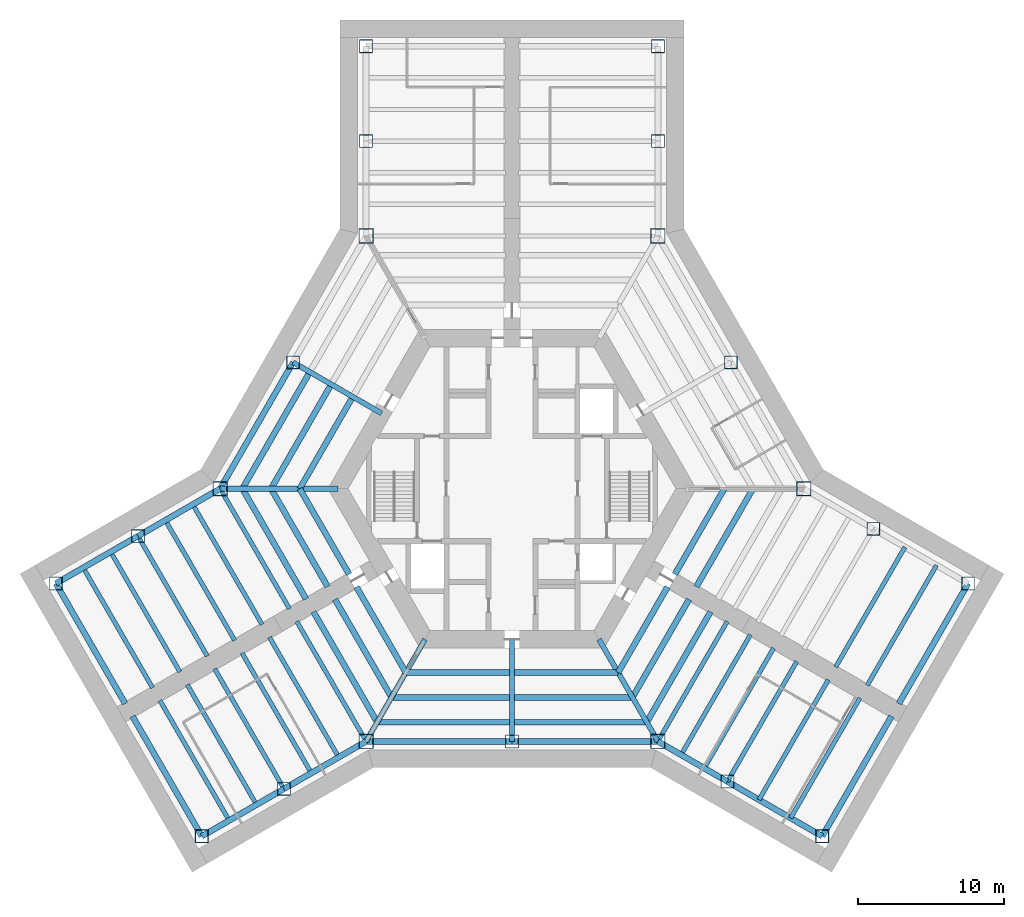
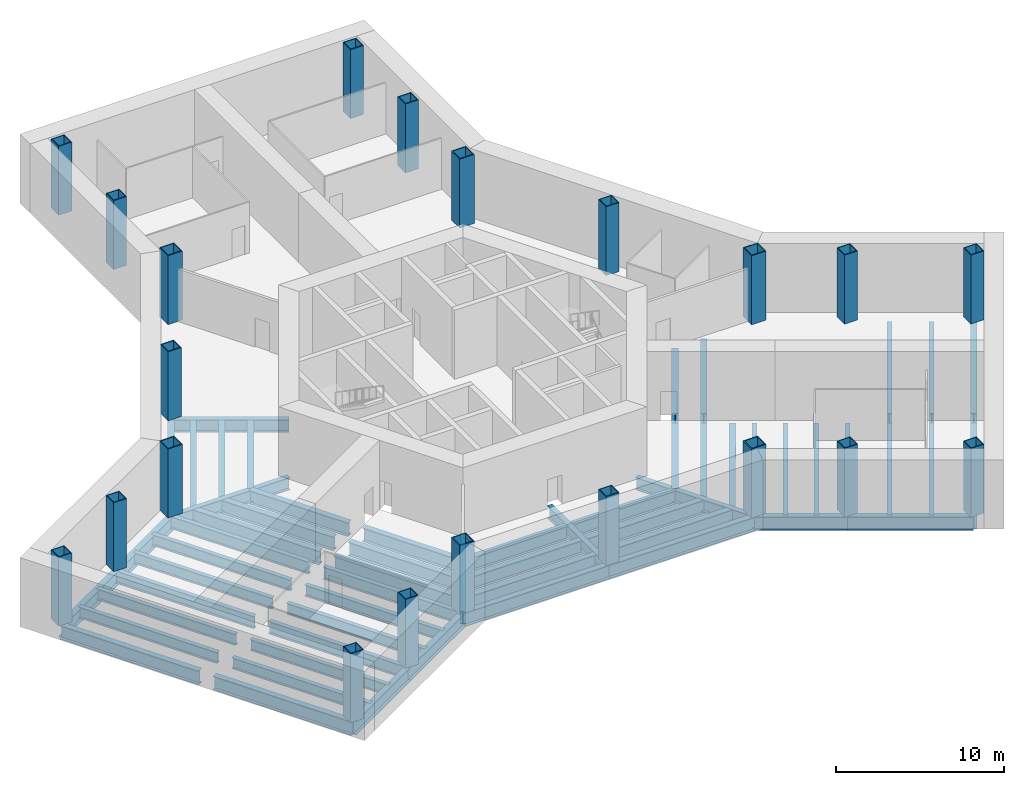
# One storey, part 1 of 7: 58 beams, 21 columns.
"""IFC4 building model written with IfcOpenShell, lengths in metres."""

from ifc_helpers import new_model, si_unit, direction, frame, origin, origin_2d, place, context, subcontext, project, spatial, hollow_rectangle, i_section, extrude, material, material_profile, profile_set, type_object, element, save


model = new_model("IFC4")

# Units and contexts
model_context = context("Model", 3, precision=1e-05, world=origin(), true_north=direction((0.0, 1.0)))
body_context = subcontext(model_context, "Body", "Model", "MODEL_VIEW")
ifc_project = project(units=[si_unit("LENGTHUNIT", "METRE"), si_unit("AREAUNIT", "SQUARE_METRE"), si_unit("VOLUMEUNIT", "CUBIC_METRE"), si_unit("PLANEANGLEUNIT", "RADIAN"), si_unit("MASSUNIT", "GRAM", prefix="KILO")], contexts=[model_context])

# Site, building, storey
site_placement = place(None, origin())
site = spatial("IfcSite", under=ifc_project, at=site_placement, CompositionType="ELEMENT")
building_placement = place(site_placement, origin())
building = spatial("IfcBuilding", under=site, at=building_placement, Name="Kasaneha Research Tower", CompositionType="ELEMENT")
storey_placement = place(building_placement, frame((0.0, 0.0, -5.0)))
storey = spatial("IfcBuildingStorey", under=building, at=storey_placement, Name="B1", CompositionType="ELEMENT", Elevation=-5.0)

# Columns
ifc_material_1 = material(Name="Steel SN490C", Category="steel")
ifc_material_profile_1 = material_profile(ifc_material_1, hollow_rectangle(XDim=1.0, YDim=1.0, WallThickness=0.06005859375, at=origin_2d()), Name="BOX-1000x1000x60")
ifc_profile_set_1 = profile_set([ifc_material_profile_1], Name="Steel SN490C")
column_type_1 = type_object("IfcColumnType", Name="C1A column BOX-1000x1000x60", PredefinedType="COLUMN", material=ifc_profile_set_1)
for number, where, z_axis, x_axis, name in (
    (1, (20.0, 0.0, 0.0), (0.0, 0.0, 1.0), (1.0, 0.0, 0.0), "Column V0 B1"),
    (2, (10.0, 17.320556640625, 0.0), (0.0, 0.0, 1.0), (1.0, 0.0, 0.0), "Column V1 B1"),
    (3, (-10.0, 17.320556640625, 0.0), (0.0, 0.0, 1.0), (1.0, 0.0, 0.0), "Column V2 B1"),
    (4, (-20.0, 0.0, 0.0), (0.0, 0.0, 1.0), (1.0, 0.0, 0.0), "Column V3 B1"),
    (5, (-10.0, -17.320556640625, 0.0), (0.0, 0.0, 1.0), (1.0, 0.0, 0.0), "Column V4 B1"),
    (6, (10.0, -17.320556640625, 0.0), (0.0, 0.0, 1.0), (1.0, 0.0, 0.0), "Column V5 B1"),
):
    element("IfcColumn", number, at=place(storey_placement, frame(where, z_axis=z_axis, x_axis=x_axis)), inside=storey, type_object=column_type_1, Name=name, PredefinedType="COLUMN", context=body_context, shape_type="SweptSolid", body=[
        extrude(hollow_rectangle(XDim=1.0, YDim=1.0, WallThickness=0.06005859375, at=origin_2d()), origin(), (0.0, 0.0, 1.0), 5.0),
    ])
ifc_material_2 = material(Name="Steel SN490C", Category="steel")
ifc_material_profile_2 = material_profile(ifc_material_2, hollow_rectangle(XDim=0.89990234375, YDim=0.89990234375, WallThickness=0.050048828125, at=origin_2d()), Name="BOX-900x900x50")
ifc_profile_set_2 = profile_set([ifc_material_profile_2], Name="Steel SN490C")
column_type_2 = type_object("IfcColumnType", Name="C1B column BOX-900x900x50", PredefinedType="COLUMN", material=ifc_profile_set_2)
for number, where, z_axis, x_axis, name in (
    (7, (15.0, 8.66015625, 0.0), (0.0, 0.0, 1.0), (1.0, 0.0, 0.0), "Column M030 B1"),
    (8, (-15.0, 8.66015625, 0.0), (0.0, 0.0, 1.0), (1.0, 0.0, 0.0), "Column M150 B1"),
    (9, (0.0, -17.320556640625, 0.0), (0.0, 0.0, 1.0), (1.0, 0.0, 0.0), "Column M270 B1"),
    (10, (10.0, 23.820556640625, 0.0), (0.0, 0.0, 1.0), (1.0, 0.0, 0.0), "Column ASP B1"),
    (11, (10.0, 30.320556640625, 0.0), (0.0, 0.0, 1.0), (1.0, 0.0, 0.0), "Column ATP B1"),
    (12, (-10.0, 23.820556640625, 0.0), (0.0, 0.0, 1.0), (1.0, 0.0, 0.0), "Column ASN B1"),
    (13, (-10.0, 30.320556640625, 0.0), (0.0, 0.0, 1.0), (1.0, 0.0, 0.0), "Column ATN B1"),
    (14, (-25.629150390625, -3.25, 0.0), (0.0, 0.0, 1.0), (1.0, 0.0, 0.0), "Column BSP B1"),
    (15, (-31.25830078125, -6.5, 0.0), (0.0, 0.0, 1.0), (1.0, 0.0, 0.0), "Column BTP B1"),
    (16, (-15.629150390625, -20.570556640625, 0.0), (0.0, 0.0, 1.0), (1.0, 0.0, 0.0), "Column BSN B1"),
    (17, (-21.25830078125, -23.820556640625, 0.0), (0.0, 0.0, 1.0), (1.0, 0.0, 0.0), "Column BTN B1"),
    (18, (14.76318359375, -20.070556640625, 0.0), (0.0, 0.0, 1.0), (1.0, 0.0, 0.0), "Column CSP B1"),
    (19, (21.25830078125, -23.820556640625, 0.0), (0.0, 0.0, 1.0), (1.0, 0.0, 0.0), "Column CTP B1"),
    (20, (24.76318359375, -2.75, 0.0), (0.0, 0.0, 1.0), (1.0, 0.0, 0.0), "Column CSN B1"),
    (21, (31.25830078125, -6.5, 0.0), (0.0, 0.0, 1.0), (1.0, 0.0, 0.0), "Column CTN B1"),
):
    element("IfcColumn", number, at=place(storey_placement, frame(where, z_axis=z_axis, x_axis=x_axis)), inside=storey, type_object=column_type_2, Name=name, PredefinedType="COLUMN", context=body_context, shape_type="SweptSolid", body=[
        extrude(hollow_rectangle(XDim=0.89990234375, YDim=0.89990234375, WallThickness=0.050048828125, at=origin_2d()), origin(), (0.0, 0.0, 1.0), 5.0),
    ])

# Beams
ifc_material_3 = material(Name="Steel SN490B", Category="steel")
ifc_material_profile_3 = material_profile(ifc_material_3, i_section(OverallWidth=0.39990234375, OverallDepth=1.0, WebThickness=0.01904296875, FlangeThickness=0.035888671875, at=origin_2d()), Name="BH-1000x400x19x36")
ifc_profile_set_3 = profile_set([ifc_material_profile_3], Name="Steel SN490B")
beam_type_1 = type_object("IfcBeamType", Name="B1-0 secondary beam BH-1000x400x19x36", PredefinedType="JOIST", material=ifc_profile_set_3)
beam_1_placement = place(storey_placement, frame((-14.54931640625, 0.0, -0.75), z_axis=(0.500000279077, 0.866025242659, 0.0), x_axis=(-0.866025242659, 0.500000279077, 0.0)))
element("IfcBeam", 22, at=beam_1_placement, inside=storey, type_object=beam_type_1, Name="Secondary beam RS150R1 B1", PredefinedType="JOIST", context=body_context, shape_type="SweptSolid", body=[
    extrude(i_section(OverallWidth=0.39990234375, OverallDepth=1.0, WebThickness=0.01904296875, FlangeThickness=0.035888671875, at=origin_2d()), origin(), (0.0, 0.0, 1.0), 7.099609375),
])
beam_2_placement = place(storey_placement, frame((-16.51220703125, 0.0, -0.75), z_axis=(0.499992685514, 0.866029626764, 0.0), x_axis=(-0.866029626764, 0.499992685514, 0.0)))
element("IfcBeam", 23, at=beam_2_placement, inside=storey, type_object=beam_type_1, Name="Secondary beam RS150R2 B1", PredefinedType="JOIST", context=body_context, shape_type="SweptSolid", body=[
    extrude(i_section(OverallWidth=0.39990234375, OverallDepth=1.0, WebThickness=0.01904296875, FlangeThickness=0.035888671875, at=origin_2d()), origin(), (0.0, 0.0, 1.0), 8.0810546875),
])
beam_3_placement = place(storey_placement, frame((-18.47509765625, 0.0, -0.75), z_axis=(0.499998401736, 0.866026326541, 0.0), x_axis=(-0.866026326541, 0.499998401736, 0.0)))
element("IfcBeam", 24, at=beam_3_placement, inside=storey, type_object=beam_type_1, Name="Secondary beam RS150R3 B1", PredefinedType="JOIST", context=body_context, shape_type="SweptSolid", body=[
    extrude(i_section(OverallWidth=0.39990234375, OverallDepth=1.0, WebThickness=0.01904296875, FlangeThickness=0.035888671875, at=origin_2d()), origin(), (0.0, 0.0, 1.0), 9.0625),
])
beam_4_placement = place(storey_placement, frame((-14.54931640625, 0.0, -0.75), z_axis=(0.500018802781, -0.866014547721, 0.0), x_axis=(0.866014547721, 0.500018802781, 0.0)))
element("IfcBeam", 25, at=beam_4_placement, inside=storey, type_object=beam_type_1, Name="Secondary beam RS210L1 B1", PredefinedType="JOIST", context=body_context, shape_type="SweptSolid", body=[
    extrude(i_section(OverallWidth=0.39990234375, OverallDepth=1.0, WebThickness=0.01904296875, FlangeThickness=0.035888671875, at=origin_2d()), origin(), (0.0, 0.0, 1.0), 6.774658203125),
])
beam_5_placement = place(storey_placement, frame((-16.51220703125, 0.0, -0.75), z_axis=(0.499984939085, -0.866034099033, 0.0), x_axis=(0.866034099033, 0.499984939085, 0.0)))
element("IfcBeam", 26, at=beam_5_placement, inside=storey, type_object=beam_type_1, Name="Secondary beam RS210L2 B1", PredefinedType="JOIST", context=body_context, shape_type="SweptSolid", body=[
    extrude(i_section(OverallWidth=0.39990234375, OverallDepth=1.0, WebThickness=0.01904296875, FlangeThickness=0.035888671875, at=origin_2d()), origin(), (0.0, 0.0, 1.0), 7.756103515625),
])
beam_6_placement = place(storey_placement, frame((-18.47509765625, 0.0, -0.75), z_axis=(0.499991738058, -0.866030173766, 0.0), x_axis=(0.866030173766, 0.499991738058, 0.0)))
element("IfcBeam", 27, at=beam_6_placement, inside=storey, type_object=beam_type_1, Name="Secondary beam RS210L3 B1", PredefinedType="JOIST", context=body_context, shape_type="SweptSolid", body=[
    extrude(i_section(OverallWidth=0.39990234375, OverallDepth=1.0, WebThickness=0.01904296875, FlangeThickness=0.035888671875, at=origin_2d()), origin(), (0.0, 0.0, 1.0), 8.737548828125),
])
beam_7_placement = place(storey_placement, frame((-7.274658203125, -12.60009765625, -0.75), z_axis=(-0.499976170333, 0.866039161412, 0.0), x_axis=(-0.866039161412, -0.499976170333, 0.0)))
element("IfcBeam", 28, at=beam_7_placement, inside=storey, type_object=beam_type_1, Name="Secondary beam RS210R1 B1", PredefinedType="JOIST", context=body_context, shape_type="SweptSolid", body=[
    extrude(i_section(OverallWidth=0.39990234375, OverallDepth=1.0, WebThickness=0.01904296875, FlangeThickness=0.035888671875, at=origin_2d()), origin(), (0.0, 0.0, 1.0), 6.774658203125),
])
beam_8_placement = place(storey_placement, frame((-8.256103515625, -14.300048828125, -0.75), z_axis=(-0.500008546953, 0.866020469142, 0.0), x_axis=(-0.866020469142, -0.500008546953, 0.0)))
element("IfcBeam", 29, at=beam_8_placement, inside=storey, type_object=beam_type_1, Name="Secondary beam RS210R2 B1", PredefinedType="JOIST", context=body_context, shape_type="SweptSolid", body=[
    extrude(i_section(OverallWidth=0.39990234375, OverallDepth=1.0, WebThickness=0.01904296875, FlangeThickness=0.035888671875, at=origin_2d()), origin(), (0.0, 0.0, 1.0), 7.756103515625),
])
beam_9_placement = place(storey_placement, frame((-9.237548828125, -16.0, -0.75), z_axis=(-0.500012694249, 0.866018074632, 0.0), x_axis=(-0.866018074632, -0.500012694249, 0.0)))
element("IfcBeam", 30, at=beam_9_placement, inside=storey, type_object=beam_type_1, Name="Secondary beam RS210R3 B1", PredefinedType="JOIST", context=body_context, shape_type="SweptSolid", body=[
    extrude(i_section(OverallWidth=0.39990234375, OverallDepth=1.0, WebThickness=0.01904296875, FlangeThickness=0.035888671875, at=origin_2d()), origin(), (0.0, 0.0, 1.0), 8.737548828125),
])
beam_10_placement = place(storey_placement, frame((-7.274658203125, -12.60009765625, -0.75), z_axis=(1.0, 0.0, 0.0), x_axis=(0.0, 1.0, 0.0)))
element("IfcBeam", 31, at=beam_10_placement, inside=storey, type_object=beam_type_1, Name="Secondary beam RS270L1 B1", PredefinedType="JOIST", context=body_context, shape_type="SweptSolid", body=[
    extrude(i_section(OverallWidth=0.39990234375, OverallDepth=1.0, WebThickness=0.01904296875, FlangeThickness=0.035888671875, at=origin_2d()), origin(), (0.0, 0.0, 1.0), 7.099609375),
])
beam_11_placement = place(storey_placement, frame((-8.256103515625, -14.300048828125, -0.75), z_axis=(1.0, 0.0, 0.0), x_axis=(0.0, 1.0, 0.0)))
element("IfcBeam", 32, at=beam_11_placement, inside=storey, type_object=beam_type_1, Name="Secondary beam RS270L2 B1", PredefinedType="JOIST", context=body_context, shape_type="SweptSolid", body=[
    extrude(i_section(OverallWidth=0.39990234375, OverallDepth=1.0, WebThickness=0.01904296875, FlangeThickness=0.035888671875, at=origin_2d()), origin(), (0.0, 0.0, 1.0), 8.0810546875),
])
beam_12_placement = place(storey_placement, frame((-9.237548828125, -16.0, -0.75), z_axis=(1.0, 0.0, 0.0), x_axis=(0.0, 1.0, 0.0)))
element("IfcBeam", 33, at=beam_12_placement, inside=storey, type_object=beam_type_1, Name="Secondary beam RS270L3 B1", PredefinedType="JOIST", context=body_context, shape_type="SweptSolid", body=[
    extrude(i_section(OverallWidth=0.39990234375, OverallDepth=1.0, WebThickness=0.01904296875, FlangeThickness=0.035888671875, at=origin_2d()), origin(), (0.0, 0.0, 1.0), 9.0625),
])
beam_13_placement = place(storey_placement, frame((7.274658203125, -12.60009765625, -0.75), z_axis=(-1.0, 0.0, 0.0), x_axis=(0.0, -1.0, 0.0)))
element("IfcBeam", 34, at=beam_13_placement, inside=storey, type_object=beam_type_1, Name="Secondary beam RS270R1 B1", PredefinedType="JOIST", context=body_context, shape_type="SweptSolid", body=[
    extrude(i_section(OverallWidth=0.39990234375, OverallDepth=1.0, WebThickness=0.01904296875, FlangeThickness=0.035888671875, at=origin_2d()), origin(), (0.0, 0.0, 1.0), 7.099609375),
])
beam_14_placement = place(storey_placement, frame((8.256103515625, -14.300048828125, -0.75), z_axis=(-1.0, 0.0, 0.0), x_axis=(0.0, -1.0, 0.0)))
element("IfcBeam", 35, at=beam_14_placement, inside=storey, type_object=beam_type_1, Name="Secondary beam RS270R2 B1", PredefinedType="JOIST", context=body_context, shape_type="SweptSolid", body=[
    extrude(i_section(OverallWidth=0.39990234375, OverallDepth=1.0, WebThickness=0.01904296875, FlangeThickness=0.035888671875, at=origin_2d()), origin(), (0.0, 0.0, 1.0), 8.0810546875),
])
beam_15_placement = place(storey_placement, frame((9.237548828125, -16.0, -0.75), z_axis=(-1.0, 0.0, 0.0), x_axis=(0.0, -1.0, 0.0)))
element("IfcBeam", 36, at=beam_15_placement, inside=storey, type_object=beam_type_1, Name="Secondary beam RS270R3 B1", PredefinedType="JOIST", context=body_context, shape_type="SweptSolid", body=[
    extrude(i_section(OverallWidth=0.39990234375, OverallDepth=1.0, WebThickness=0.01904296875, FlangeThickness=0.035888671875, at=origin_2d()), origin(), (0.0, 0.0, 1.0), 9.0625),
])
beam_16_placement = place(storey_placement, frame((7.274658203125, -12.60009765625, -0.75), z_axis=(0.499976170333, 0.866039161412, 0.0), x_axis=(-0.866039161412, 0.499976170333, 0.0)))
element("IfcBeam", 37, at=beam_16_placement, inside=storey, type_object=beam_type_1, Name="Secondary beam RS330L1 B1", PredefinedType="JOIST", context=body_context, shape_type="SweptSolid", body=[
    extrude(i_section(OverallWidth=0.39990234375, OverallDepth=1.0, WebThickness=0.01904296875, FlangeThickness=0.035888671875, at=origin_2d()), origin(), (0.0, 0.0, 1.0), 6.774658203125),
])
beam_17_placement = place(storey_placement, frame((8.256103515625, -14.300048828125, -0.75), z_axis=(0.500008546953, 0.866020469142, 0.0), x_axis=(-0.866020469142, 0.500008546953, 0.0)))
element("IfcBeam", 38, at=beam_17_placement, inside=storey, type_object=beam_type_1, Name="Secondary beam RS330L2 B1", PredefinedType="JOIST", context=body_context, shape_type="SweptSolid", body=[
    extrude(i_section(OverallWidth=0.39990234375, OverallDepth=1.0, WebThickness=0.01904296875, FlangeThickness=0.035888671875, at=origin_2d()), origin(), (0.0, 0.0, 1.0), 7.756103515625),
])
beam_18_placement = place(storey_placement, frame((9.237548828125, -16.0, -0.75), z_axis=(0.500012694249, 0.866018074632, 0.0), x_axis=(-0.866018074632, 0.500012694249, 0.0)))
element("IfcBeam", 39, at=beam_18_placement, inside=storey, type_object=beam_type_1, Name="Secondary beam RS330L3 B1", PredefinedType="JOIST", context=body_context, shape_type="SweptSolid", body=[
    extrude(i_section(OverallWidth=0.39990234375, OverallDepth=1.0, WebThickness=0.01904296875, FlangeThickness=0.035888671875, at=origin_2d()), origin(), (0.0, 0.0, 1.0), 8.737548828125),
])
beam_19_placement = place(storey_placement, frame((14.54931640625, 0.0, -0.75), z_axis=(-0.500018802781, -0.866014547721, 0.0), x_axis=(0.866014547721, -0.500018802781, 0.0)))
element("IfcBeam", 40, at=beam_19_placement, inside=storey, type_object=beam_type_1, Name="Secondary beam RS330R1 B1", PredefinedType="JOIST", context=body_context, shape_type="SweptSolid", body=[
    extrude(i_section(OverallWidth=0.39990234375, OverallDepth=1.0, WebThickness=0.01904296875, FlangeThickness=0.035888671875, at=origin_2d()), origin(), (0.0, 0.0, 1.0), 6.774658203125),
])
beam_20_placement = place(storey_placement, frame((16.51220703125, 0.0, -0.75), z_axis=(-0.499984939085, -0.866034099033, 0.0), x_axis=(0.866034099033, -0.499984939085, 0.0)))
element("IfcBeam", 41, at=beam_20_placement, inside=storey, type_object=beam_type_1, Name="Secondary beam RS330R2 B1", PredefinedType="JOIST", context=body_context, shape_type="SweptSolid", body=[
    extrude(i_section(OverallWidth=0.39990234375, OverallDepth=1.0, WebThickness=0.01904296875, FlangeThickness=0.035888671875, at=origin_2d()), origin(), (0.0, 0.0, 1.0), 7.756103515625),
])
ifc_material_4 = material(Name="Steel SN490B", Category="steel")
ifc_material_profile_4 = material_profile(ifc_material_4, i_section(OverallWidth=0.300048828125, OverallDepth=0.800048828125, WebThickness=0.013916015625, FlangeThickness=0.02587890625, FilletRadius=0.01806640625, at=origin_2d()), Name="H-800x300x14x26")
ifc_profile_set_4 = profile_set([ifc_material_profile_4], Name="Steel SN490B")
beam_type_2 = type_object("IfcBeamType", Name="B2-0 secondary beam H-800x300x14x26", PredefinedType="JOIST", material=ifc_profile_set_4)
beam_21_placement = place(storey_placement, frame((-21.87646484375, -1.083251953125, -0.64990234375), z_axis=(0.499997557548, -0.86602681393, 0.0), x_axis=(0.86602681393, 0.499997557548, 0.0)))
element("IfcBeam", 42, at=beam_21_placement, inside=storey, type_object=beam_type_2, Name="Secondary beam WBBP1 B1", PredefinedType="JOIST", context=body_context, shape_type="SweptSolid", body=[
    extrude(i_section(OverallWidth=0.300048828125, OverallDepth=0.800048828125, WebThickness=0.013916015625, FlangeThickness=0.02587890625, FilletRadius=0.01806640625, at=origin_2d()), origin(), (0.0, 0.0, 1.0), 9.5),
])
beam_22_placement = place(storey_placement, frame((-23.752685546875, -2.166748046875, -0.64990234375), z_axis=(0.500008685663, -0.866020389056, 0.0), x_axis=(0.866020389056, 0.500008685663, 0.0)))
element("IfcBeam", 43, at=beam_22_placement, inside=storey, type_object=beam_type_2, Name="Secondary beam WBBP2 B1", PredefinedType="JOIST", context=body_context, shape_type="SweptSolid", body=[
    extrude(i_section(OverallWidth=0.300048828125, OverallDepth=0.800048828125, WebThickness=0.013916015625, FlangeThickness=0.02587890625, FilletRadius=0.01806640625, at=origin_2d()), origin(), (0.0, 0.0, 1.0), 9.499755859375),
])
beam_23_placement = place(storey_placement, frame((-27.505615234375, -4.333251953125, -0.64990234375), z_axis=(0.499997557548, -0.86602681393, 0.0), x_axis=(0.86602681393, 0.499997557548, 0.0)))
element("IfcBeam", 44, at=beam_23_placement, inside=storey, type_object=beam_type_2, Name="Secondary beam WBBP3 B1", PredefinedType="JOIST", context=body_context, shape_type="SweptSolid", body=[
    extrude(i_section(OverallWidth=0.300048828125, OverallDepth=0.800048828125, WebThickness=0.013916015625, FlangeThickness=0.02587890625, FilletRadius=0.01806640625, at=origin_2d()), origin(), (0.0, 0.0, 1.0), 9.5),
])
beam_24_placement = place(storey_placement, frame((-29.3818359375, -5.416748046875, -0.64990234375), z_axis=(0.500008685663, -0.866020389056, 0.0), x_axis=(0.866020389056, 0.500008685663, 0.0)))
element("IfcBeam", 45, at=beam_24_placement, inside=storey, type_object=beam_type_2, Name="Secondary beam WBBP4 B1", PredefinedType="JOIST", context=body_context, shape_type="SweptSolid", body=[
    extrude(i_section(OverallWidth=0.300048828125, OverallDepth=0.800048828125, WebThickness=0.013916015625, FlangeThickness=0.02587890625, FilletRadius=0.01806640625, at=origin_2d()), origin(), (0.0, 0.0, 1.0), 9.499755859375),
])
beam_25_placement = place(storey_placement, frame((-11.87646484375, -18.40380859375, -0.64990234375), z_axis=(-0.499997557548, 0.86602681393, 0.0), x_axis=(-0.86602681393, -0.499997557548, 0.0)))
element("IfcBeam", 46, at=beam_25_placement, inside=storey, type_object=beam_type_2, Name="Secondary beam WBBN1 B1", PredefinedType="JOIST", context=body_context, shape_type="SweptSolid", body=[
    extrude(i_section(OverallWidth=0.300048828125, OverallDepth=0.800048828125, WebThickness=0.013916015625, FlangeThickness=0.02587890625, FilletRadius=0.01806640625, at=origin_2d()), origin(), (0.0, 0.0, 1.0), 9.5),
])
beam_26_placement = place(storey_placement, frame((-13.752685546875, -19.487060546875, -0.64990234375), z_axis=(-0.500008685663, 0.866020389056, 0.0), x_axis=(-0.866020389056, -0.500008685663, 0.0)))
element("IfcBeam", 47, at=beam_26_placement, inside=storey, type_object=beam_type_2, Name="Secondary beam WBBN2 B1", PredefinedType="JOIST", context=body_context, shape_type="SweptSolid", body=[
    extrude(i_section(OverallWidth=0.300048828125, OverallDepth=0.800048828125, WebThickness=0.013916015625, FlangeThickness=0.02587890625, FilletRadius=0.01806640625, at=origin_2d()), origin(), (0.0, 0.0, 1.0), 9.499755859375),
])
beam_27_placement = place(storey_placement, frame((-17.505615234375, -21.65380859375, -0.64990234375), z_axis=(-0.499997557548, 0.86602681393, 0.0), x_axis=(-0.86602681393, -0.499997557548, 0.0)))
element("IfcBeam", 48, at=beam_27_placement, inside=storey, type_object=beam_type_2, Name="Secondary beam WBBN3 B1", PredefinedType="JOIST", context=body_context, shape_type="SweptSolid", body=[
    extrude(i_section(OverallWidth=0.300048828125, OverallDepth=0.800048828125, WebThickness=0.013916015625, FlangeThickness=0.02587890625, FilletRadius=0.01806640625, at=origin_2d()), origin(), (0.0, 0.0, 1.0), 9.5),
])
for number, where, z_axis, x_axis, name in (
    (49, (-19.3818359375, -22.737060546875, -0.64990234375), (-0.500008685663, 0.866020389056, 0.0), (-0.866020389056, -0.500008685663, 0.0), "Secondary beam WBBN4 B1"),
    (50, (11.587646484375, -18.237060546875, -0.64990234375), (0.500008685663, 0.866020389056, 0.0), (-0.866020389056, 0.500008685663, 0.0), "Secondary beam WBCP1 B1"),
):
    element("IfcBeam", number, at=place(storey_placement, frame(where, z_axis=z_axis, x_axis=x_axis)), inside=storey, type_object=beam_type_2, Name=name, PredefinedType="JOIST", context=body_context, shape_type="SweptSolid", body=[
        extrude(i_section(OverallWidth=0.300048828125, OverallDepth=0.800048828125, WebThickness=0.013916015625, FlangeThickness=0.02587890625, FilletRadius=0.01806640625, at=origin_2d()), origin(), (0.0, 0.0, 1.0), 9.499755859375),
    ])
for number, where, z_axis, x_axis, name in (
    (51, (13.175537109375, -19.15380859375, -0.64990234375), (0.499997557548, 0.86602681393, 0.0), (-0.86602681393, 0.499997557548, 0.0), "Secondary beam WBCP2 B1"),
    (52, (16.92822265625, -21.320556640625, -0.64990234375), (0.499997557548, 0.86602681393, 0.0), (-0.86602681393, 0.499997557548, 0.0), "Secondary beam WBCP3 B1"),
    (53, (19.09326171875, -22.570556640625, -0.64990234375), (0.499997557548, 0.86602681393, 0.0), (-0.86602681393, 0.499997557548, 0.0), "Secondary beam WBCP4 B1"),
    (54, (26.92822265625, -4.0, -0.64990234375), (-0.499997557548, -0.86602681393, 0.0), (0.86602681393, -0.499997557548, 0.0), "Secondary beam WBCN3 B1"),
    (55, (29.09326171875, -5.25, -0.64990234375), (-0.499997557548, -0.86602681393, 0.0), (0.86602681393, -0.499997557548, 0.0), "Secondary beam WBCN4 B1"),
):
    element("IfcBeam", number, at=place(storey_placement, frame(where, z_axis=z_axis, x_axis=x_axis)), inside=storey, type_object=beam_type_2, Name=name, PredefinedType="JOIST", context=body_context, shape_type="SweptSolid", body=[
        extrude(i_section(OverallWidth=0.300048828125, OverallDepth=0.800048828125, WebThickness=0.013916015625, FlangeThickness=0.02587890625, FilletRadius=0.01806640625, at=origin_2d()), origin(), (0.0, 0.0, 1.0), 9.5),
    ])
ifc_material_5 = material(Name="Steel SN490B", Category="steel")
ifc_material_profile_5 = material_profile(ifc_material_5, i_section(OverallWidth=0.35009765625, OverallDepth=0.89990234375, WebThickness=0.01611328125, FlangeThickness=0.031982421875, at=origin_2d()), Name="BH-900x350x16x32")
ifc_profile_set_5 = profile_set([ifc_material_profile_5], Name="Steel SN490B")
beam_type_3 = type_object("IfcBeamType", Name="G1-0 radial girder BH-900x350x16x32", PredefinedType="BEAM", material=ifc_profile_set_5)
beam_28_placement = place(storey_placement, frame((-11.92236328125, 0.0, -0.699951171875), z_axis=(-1.0, 0.0, 0.0), x_axis=(0.0, -1.0, 0.0)))
element("IfcBeam", 56, at=beam_28_placement, inside=storey, type_object=beam_type_3, Name="Radial girder RV180 B1", PredefinedType="BEAM", context=body_context, shape_type="SweptSolid", body=[
    extrude(i_section(OverallWidth=0.35009765625, OverallDepth=0.89990234375, WebThickness=0.01611328125, FlangeThickness=0.031982421875, at=origin_2d()), origin(), (0.0, 0.0, 1.0), 8.07763671875),
])
for number, where, z_axis, x_axis, name in (
    (57, (-5.961181640625, -10.324951171875, -0.699951171875), (-0.49999105496, -0.866030568144, 0.0), (0.866030568144, -0.49999105496, 0.0), "Radial girder RV240 B1"),
    (58, (5.961181640625, -10.324951171875, -0.699951171875), (0.49999105496, -0.866030568144, 0.0), (0.866030568144, 0.49999105496, 0.0), "Radial girder RV300 B1"),
):
    element("IfcBeam", number, at=place(storey_placement, frame(where, z_axis=z_axis, x_axis=x_axis)), inside=storey, type_object=beam_type_3, Name=name, PredefinedType="BEAM", context=body_context, shape_type="SweptSolid", body=[
        extrude(i_section(OverallWidth=0.35009765625, OverallDepth=0.89990234375, WebThickness=0.01611328125, FlangeThickness=0.031982421875, at=origin_2d()), origin(), (0.0, 0.0, 1.0), 8.077880859375),
    ])
ifc_material_6 = material(Name="Steel SN490B", Category="steel")
ifc_material_profile_6 = material_profile(ifc_material_6, i_section(OverallWidth=0.35009765625, OverallDepth=0.89990234375, WebThickness=0.01611328125, FlangeThickness=0.031982421875, at=origin_2d()), Name="BH-900x350x16x32")
ifc_profile_set_6 = profile_set([ifc_material_profile_6], Name="Steel SN490B")
beam_type_4 = type_object("IfcBeamType", Name="G2-0 radial girder BH-900x350x16x32", PredefinedType="BEAM", material=ifc_profile_set_6)
beam_29_placement = place(storey_placement, frame((-8.941650390625, 5.16259765625, -0.699951171875), z_axis=(-0.866039713508, 0.499975214012, 0.0), x_axis=(-0.499975214012, -0.866039713508, 0.0)))
element("IfcBeam", 59, at=beam_29_placement, inside=storey, type_object=beam_type_4, Name="Radial girder RM150 B1", PredefinedType="BEAM", context=body_context, shape_type="SweptSolid", body=[
    extrude(i_section(OverallWidth=0.35009765625, OverallDepth=0.89990234375, WebThickness=0.01611328125, FlangeThickness=0.031982421875, at=origin_2d()), origin(), (0.0, 0.0, 1.0), 6.995361328125),
])
beam_30_placement = place(storey_placement, frame((0.0, -10.324951171875, -0.699951171875), z_axis=(0.0, -1.0, 0.0), x_axis=(1.0, 0.0, 0.0)))
element("IfcBeam", 60, at=beam_30_placement, inside=storey, type_object=beam_type_4, Name="Radial girder RM270 B1", PredefinedType="BEAM", context=body_context, shape_type="SweptSolid", body=[
    extrude(i_section(OverallWidth=0.35009765625, OverallDepth=0.89990234375, WebThickness=0.01611328125, FlangeThickness=0.031982421875, at=origin_2d()), origin(), (0.0, 0.0, 1.0), 6.99560546875),
])
ifc_material_7 = material(Name="Steel SN490B", Category="steel")
ifc_material_profile_7 = material_profile(ifc_material_7, i_section(OverallWidth=0.299072265625, OverallDepth=0.889892578125, WebThickness=0.014892578125, FlangeThickness=0.02294921875, FilletRadius=0.01806640625, at=origin_2d()), Name="H-890x299x15x23")
ifc_profile_set_7 = profile_set([ifc_material_profile_7], Name="Steel SN490B")
beam_type_5 = type_object("IfcBeamType", Name="G3-0 plate edge girder H-890x299x15x23", PredefinedType="BEAM", material=ifc_profile_set_7)
for number, where, z_axis, x_axis, name in (
    (61, (-20.0, 0.0, -0.695068359375), (0.499997557548, -0.86602681393, 0.0), (0.86602681393, 0.499997557548, 0.0), "Plate edge girder PEBP B1"),
    (62, (-10.0, -17.320556640625, -0.695068359375), (-0.499997557548, 0.86602681393, 0.0), (-0.86602681393, -0.499997557548, 0.0), "Plate edge girder PEBN B1"),
    (63, (10.0, -17.320556640625, -0.695068359375), (0.499997557548, 0.86602681393, 0.0), (-0.86602681393, 0.499997557548, 0.0), "Plate edge girder PECP B1"),
):
    element("IfcBeam", number, at=place(storey_placement, frame(where, z_axis=z_axis, x_axis=x_axis)), inside=storey, type_object=beam_type_5, Name=name, PredefinedType="BEAM", context=body_context, shape_type="SweptSolid", body=[
        extrude(i_section(OverallWidth=0.299072265625, OverallDepth=0.889892578125, WebThickness=0.014892578125, FlangeThickness=0.02294921875, FilletRadius=0.01806640625, at=origin_2d()), origin(), (0.0, 0.0, 1.0), 9.5),
    ])
ifc_material_8 = material(Name="Steel SN490B", Category="steel")
ifc_material_profile_8 = material_profile(ifc_material_8, i_section(OverallWidth=0.300048828125, OverallDepth=0.89990234375, WebThickness=0.01611328125, FlangeThickness=0.028076171875, FilletRadius=0.01806640625, at=origin_2d()), Name="H-900x300x16x28")
ifc_profile_set_8 = profile_set([ifc_material_profile_8], Name="Steel SN490B")
beam_type_6 = type_object("IfcBeamType", Name="G4-0 wing girder H-900x300x16x28", PredefinedType="BEAM", material=ifc_profile_set_8)
for number, where, z_axis, x_axis, name in (
    (64, (-25.629150390625, -3.25, -0.699951171875), (0.499997557548, -0.86602681393, 0.0), (0.86602681393, 0.499997557548, 0.0), "Wing girder WGBP B1"),
    (65, (-15.629150390625, -20.570556640625, -0.699951171875), (-0.499997557548, 0.86602681393, 0.0), (-0.86602681393, -0.499997557548, 0.0), "Wing girder WGBN B1"),
    (66, (14.76318359375, -20.070556640625, -0.699951171875), (0.499997557548, 0.86602681393, 0.0), (-0.86602681393, 0.499997557548, 0.0), "Wing girder WGCP B1"),
):
    element("IfcBeam", number, at=place(storey_placement, frame(where, z_axis=z_axis, x_axis=x_axis)), inside=storey, type_object=beam_type_6, Name=name, PredefinedType="BEAM", context=body_context, shape_type="SweptSolid", body=[
        extrude(i_section(OverallWidth=0.300048828125, OverallDepth=0.89990234375, WebThickness=0.01611328125, FlangeThickness=0.028076171875, FilletRadius=0.01806640625, at=origin_2d()), origin(), (0.0, 0.0, 1.0), 9.5),
    ])
ifc_material_9 = material(Name="Steel SN490B", Category="steel")
ifc_material_profile_9 = material_profile(ifc_material_9, i_section(OverallWidth=0.39990234375, OverallDepth=1.0, WebThickness=0.01904296875, FlangeThickness=0.035888671875, at=origin_2d()), Name="BH-1000x400x19x36")
ifc_profile_set_9 = profile_set([ifc_material_profile_9], Name="Steel SN490B")
beam_type_7 = type_object("IfcBeamType", Name="SB1-0 spandrel beam BH-1000x400x19x36", PredefinedType="SPANDREL", material=ifc_profile_set_9)
for number, where, z_axis, x_axis, name in (
    (67, (-20.0, 0.0, -0.75), (0.500004234368, 0.866022959057, 0.0), (-0.866022959057, 0.500004234368, 0.0), "Spandrel beam SR150R B1"),
    (68, (-10.0, -17.320556640625, -0.75), (1.0, 0.0, 0.0), (0.0, 1.0, 0.0), "Spandrel beam SR270L B1"),
    (69, (10.0, -17.320556640625, -0.75), (-1.0, 0.0, 0.0), (0.0, -1.0, 0.0), "Spandrel beam SR270R B1"),
):
    element("IfcBeam", number, at=place(storey_placement, frame(where, z_axis=z_axis, x_axis=x_axis)), inside=storey, type_object=beam_type_7, Name=name, PredefinedType="SPANDREL", context=body_context, shape_type="SweptSolid", body=[
        extrude(i_section(OverallWidth=0.39990234375, OverallDepth=1.0, WebThickness=0.01904296875, FlangeThickness=0.035888671875, at=origin_2d()), origin(), (0.0, 0.0, 1.0), 10.0),
    ])
ifc_material_10 = material(Name="Steel SN490B", Category="steel")
ifc_material_profile_10 = material_profile(ifc_material_10, i_section(OverallWidth=0.39990234375, OverallDepth=1.0, WebThickness=0.01904296875, FlangeThickness=0.035888671875, at=origin_2d()), Name="BH-1000x400x19x36")
ifc_profile_set_10 = profile_set([ifc_material_profile_10], Name="Steel SN490B")
beam_type_8 = type_object("IfcBeamType", Name="SB2-0 spandrel beam BH-1000x400x19x36", PredefinedType="SPANDREL", material=ifc_profile_set_10)
for number, where, z_axis, x_axis, name in (
    (70, (-20.0, 0.0, -0.75), (-0.866024837091, -0.50000098154, 0.0), (0.50000098154, -0.866024837091, 0.0), "Spandrel beam WSBP1 B1"),
    (71, (-25.629150390625, -3.25, -0.75), (-0.866024837091, -0.50000098154, 0.0), (0.50000098154, -0.866024837091, 0.0), "Spandrel beam WSBP2 B1"),
    (72, (-10.0, -17.320556640625, -0.75), (-0.866024837091, -0.50000098154, 0.0), (0.50000098154, -0.866024837091, 0.0), "Spandrel beam WSBN1 B1"),
    (73, (-15.629150390625, -20.570556640625, -0.75), (-0.866024837091, -0.50000098154, 0.0), (0.50000098154, -0.866024837091, 0.0), "Spandrel beam WSBN2 B1"),
):
    element("IfcBeam", number, at=place(storey_placement, frame(where, z_axis=z_axis, x_axis=x_axis)), inside=storey, type_object=beam_type_8, Name=name, PredefinedType="SPANDREL", context=body_context, shape_type="SweptSolid", body=[
        extrude(i_section(OverallWidth=0.39990234375, OverallDepth=1.0, WebThickness=0.01904296875, FlangeThickness=0.035888671875, at=origin_2d()), origin(), (0.0, 0.0, 1.0), 6.5),
    ])
beam_31_placement = place(storey_placement, frame((10.0, -17.320556640625, -0.75), z_axis=(0.866027397988, -0.499996545922, 0.0), x_axis=(0.499996545922, 0.866027397988, 0.0)))
element("IfcBeam", 74, at=beam_31_placement, inside=storey, type_object=beam_type_8, Name="Spandrel beam WSCP1 B1", PredefinedType="SPANDREL", context=body_context, shape_type="SweptSolid", body=[
    extrude(i_section(OverallWidth=0.39990234375, OverallDepth=1.0, WebThickness=0.01904296875, FlangeThickness=0.035888671875, at=origin_2d()), origin(), (0.0, 0.0, 1.0), 5.5),
])
beam_32_placement = place(storey_placement, frame((14.76318359375, -20.070556640625, -0.75), z_axis=(0.866022959057, -0.500004234368, 0.0), x_axis=(0.500004234368, 0.866022959057, 0.0)))
element("IfcBeam", 75, at=beam_32_placement, inside=storey, type_object=beam_type_8, Name="Spandrel beam WSCP2 B1", PredefinedType="SPANDREL", context=body_context, shape_type="SweptSolid", body=[
    extrude(i_section(OverallWidth=0.39990234375, OverallDepth=1.0, WebThickness=0.01904296875, FlangeThickness=0.035888671875, at=origin_2d()), origin(), (0.0, 0.0, 1.0), 7.5),
])
ifc_material_11 = material(Name="Steel SN490B", Category="steel")
ifc_material_profile_11 = material_profile(ifc_material_11, i_section(OverallWidth=0.39990234375, OverallDepth=1.0, WebThickness=0.02197265625, FlangeThickness=0.0400390625, at=origin_2d()), Name="BH-1000x400x22x40")
ifc_profile_set_11 = profile_set([ifc_material_profile_11], Name="Steel SN490B")
beam_type_9 = type_object("IfcBeamType", Name="SB3-0 spandrel beam BH-1000x400x22x40", PredefinedType="SPANDREL", material=ifc_profile_set_11)
for number, where, z_axis, x_axis, name in (
    (76, (-31.25830078125, -6.5, -0.75), (0.499997557548, -0.86602681393, 0.0), (0.86602681393, 0.499997557548, 0.0), "Spandrel beam WTBP B1"),
    (77, (-21.25830078125, -23.820556640625, -0.75), (-0.499997557548, 0.86602681393, 0.0), (-0.86602681393, -0.499997557548, 0.0), "Spandrel beam WTBN B1"),
    (78, (21.25830078125, -23.820556640625, -0.75), (0.499997557548, 0.86602681393, 0.0), (-0.86602681393, 0.499997557548, 0.0), "Spandrel beam WTCP B1"),
    (79, (31.25830078125, -6.5, -0.75), (-0.499997557548, -0.86602681393, 0.0), (0.86602681393, -0.499997557548, 0.0), "Spandrel beam WTCN B1"),
):
    element("IfcBeam", number, at=place(storey_placement, frame(where, z_axis=z_axis, x_axis=x_axis)), inside=storey, type_object=beam_type_9, Name=name, PredefinedType="SPANDREL", context=body_context, shape_type="SweptSolid", body=[
        extrude(i_section(OverallWidth=0.39990234375, OverallDepth=1.0, WebThickness=0.02197265625, FlangeThickness=0.0400390625, at=origin_2d()), origin(), (0.0, 0.0, 1.0), 9.5),
    ])

save(model, "model.ifc")
